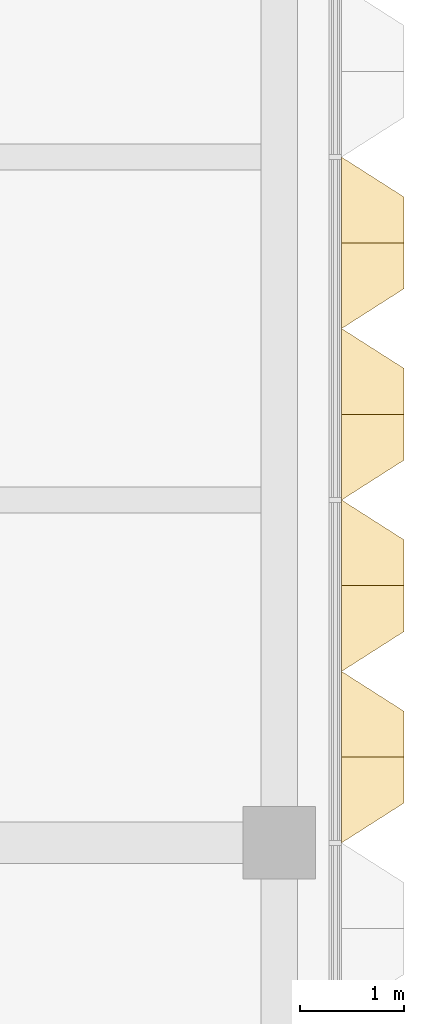
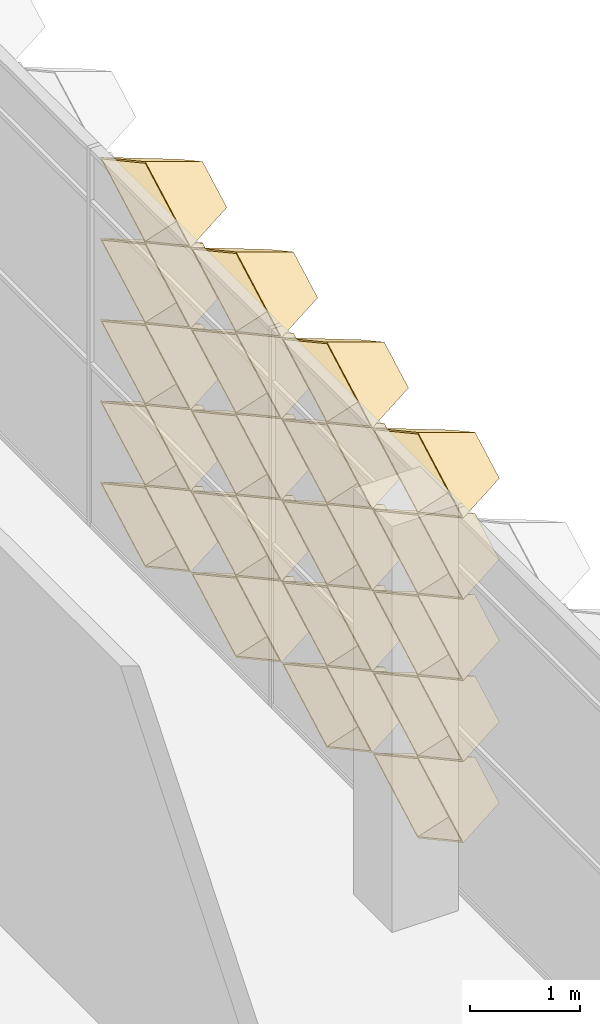
# One storey, part 18 of 28: 20 coverings.
"""IFC4 building model written with IfcOpenShell, lengths in metres."""

from ifc_helpers import new_model, entity, si_unit, direction, frame, origin, place, context, subcontext, project, spatial, material, layer, layer_set, type_object, element, save


model = new_model("IFC4")

# Units and contexts
model_context = context("Model", 3, precision=1e-05, world=origin(), true_north=direction((0.0, 1.0)))
body_context = subcontext(model_context, "Body", "Model", "MODEL_VIEW")
ifc_project = project(units=[si_unit("LENGTHUNIT", "METRE"), si_unit("AREAUNIT", "SQUARE_METRE"), si_unit("VOLUMEUNIT", "CUBIC_METRE"), si_unit("PLANEANGLEUNIT", "RADIAN"), si_unit("MASSUNIT", "GRAM", prefix="KILO")], contexts=[model_context])

# Site, building, storey
site_placement = place(None, origin())
site = spatial("IfcSite", under=ifc_project, at=site_placement, CompositionType="ELEMENT")
building_placement = place(site_placement, origin())
building = spatial("IfcBuilding", under=site, at=building_placement, Name="Lantern Court Research Institute", CompositionType="ELEMENT")
storey_placement = place(building_placement, frame((0.0, 0.0, 36.89990234375)))
storey = spatial("IfcBuildingStorey", under=building, at=storey_placement, Name="L08", CompositionType="ELEMENT", Elevation=36.89990234375)

# Coverings
ifc_material = material(Name="Anodised aluminium", Category="aluminium")
ifc_layer = layer(ifc_material, 0.01611328125)
ifc_layer_set = layer_set([ifc_layer], Name="Anodised aluminium")
covering_type = type_object("IfcCoveringType", Name="Fin cassette 1650 x 900 x 600 aluminium", PredefinedType="CLADDING", material=ifc_layer_set)
covering_1_placement = place(storey_placement, frame((79.800048828125, 0.824951171875, 0.4501953125), z_axis=(1.0, 0.0, 0.0), x_axis=(0.0, 1.0, 0.0)))
cartesian_point_1 = entity("IfcCartesianPoint", [0.824951171875, 0.0])
cartesian_point_2 = entity("IfcCartesianPoint", [0.79150390625, 0.0])
cartesian_point_3 = entity("IfcCartesianPoint", [0.44189453125, 0.0])
cartesian_point_4 = entity("IfcCartesianPoint", [0.43359375, 0.0])
element("IfcCovering", 1, at=covering_1_placement, inside=storey, type_object=covering_type, Name="Fin cassette V5E-L08 1.1", PredefinedType="CLADDING", context=body_context, shape_type="SweptSolid", body=[
    entity("IfcExtrudedAreaSolidTapered", entity("IfcArbitraryProfileDefWithVoids", "AREA", None, entity("IfcPolyline", [cartesian_point_1, entity("IfcCartesianPoint", [0.0, 0.449951171875]), entity("IfcCartesianPoint", [-0.824951171875, 0.0]), entity("IfcCartesianPoint", [0.0, -0.449951171875]), cartesian_point_1]), [entity("IfcPolyline", [cartesian_point_2, entity("IfcCartesianPoint", [0.0, 0.431884765625]), entity("IfcCartesianPoint", [-0.79150390625, 0.0]), entity("IfcCartesianPoint", [0.0, -0.431884765625]), cartesian_point_2])]), entity("IfcAxis2Placement3D", entity("IfcCartesianPoint", [0.0, 0.0, 0.0])), entity("IfcDirection", [0.0, 0.0, 1.0]), 0.60009765625, entity("IfcArbitraryProfileDefWithVoids", "AREA", None, entity("IfcPolyline", [cartesian_point_3, entity("IfcCartesianPoint", [0.0, 0.240966796875]), entity("IfcCartesianPoint", [-0.44189453125, 0.0]), entity("IfcCartesianPoint", [0.0, -0.240966796875]), cartesian_point_3]), [entity("IfcPolyline", [cartesian_point_4, entity("IfcCartesianPoint", [0.0, 0.236572265625]), entity("IfcCartesianPoint", [-0.43359375, 0.0]), entity("IfcCartesianPoint", [0.0, -0.236572265625]), cartesian_point_4])])),
])
covering_2_placement = place(storey_placement, frame((79.800048828125, 2.47509765625, 0.4501953125), z_axis=(1.0, 0.0, 0.0), x_axis=(0.0, 1.0, 0.0)))
cartesian_point_5 = entity("IfcCartesianPoint", [0.824951171875, 0.0])
cartesian_point_6 = entity("IfcCartesianPoint", [0.79150390625, 0.0])
cartesian_point_7 = entity("IfcCartesianPoint", [0.44189453125, 0.0])
cartesian_point_8 = entity("IfcCartesianPoint", [0.43359375, 0.0])
element("IfcCovering", 2, at=covering_2_placement, inside=storey, type_object=covering_type, Name="Fin cassette V5E-L08 1.2", PredefinedType="CLADDING", context=body_context, shape_type="SweptSolid", body=[
    entity("IfcExtrudedAreaSolidTapered", entity("IfcArbitraryProfileDefWithVoids", "AREA", None, entity("IfcPolyline", [cartesian_point_5, entity("IfcCartesianPoint", [0.0, 0.449951171875]), entity("IfcCartesianPoint", [-0.824951171875, 0.0]), entity("IfcCartesianPoint", [0.0, -0.449951171875]), cartesian_point_5]), [entity("IfcPolyline", [cartesian_point_6, entity("IfcCartesianPoint", [0.0, 0.431884765625]), entity("IfcCartesianPoint", [-0.79150390625, 0.0]), entity("IfcCartesianPoint", [0.0, -0.431884765625]), cartesian_point_6])]), entity("IfcAxis2Placement3D", entity("IfcCartesianPoint", [0.0, 0.0, 0.0])), entity("IfcDirection", [0.0, 0.0, 1.0]), 0.60009765625, entity("IfcArbitraryProfileDefWithVoids", "AREA", None, entity("IfcPolyline", [cartesian_point_7, entity("IfcCartesianPoint", [0.0, 0.240966796875]), entity("IfcCartesianPoint", [-0.44189453125, 0.0]), entity("IfcCartesianPoint", [0.0, -0.240966796875]), cartesian_point_7]), [entity("IfcPolyline", [cartesian_point_8, entity("IfcCartesianPoint", [0.0, 0.236572265625]), entity("IfcCartesianPoint", [-0.43359375, 0.0]), entity("IfcCartesianPoint", [0.0, -0.236572265625]), cartesian_point_8])])),
])
covering_3_placement = place(storey_placement, frame((79.800048828125, 4.125, 0.4501953125), z_axis=(1.0, 0.0, 0.0), x_axis=(0.0, 1.0, 0.0)))
cartesian_point_9 = entity("IfcCartesianPoint", [0.824951171875, 0.0])
cartesian_point_10 = entity("IfcCartesianPoint", [0.79150390625, 0.0])
cartesian_point_11 = entity("IfcCartesianPoint", [0.44189453125, 0.0])
cartesian_point_12 = entity("IfcCartesianPoint", [0.43359375, 0.0])
element("IfcCovering", 3, at=covering_3_placement, inside=storey, type_object=covering_type, Name="Fin cassette V5E-L08 1.3", PredefinedType="CLADDING", context=body_context, shape_type="SweptSolid", body=[
    entity("IfcExtrudedAreaSolidTapered", entity("IfcArbitraryProfileDefWithVoids", "AREA", None, entity("IfcPolyline", [cartesian_point_9, entity("IfcCartesianPoint", [0.0, 0.449951171875]), entity("IfcCartesianPoint", [-0.824951171875, 0.0]), entity("IfcCartesianPoint", [0.0, -0.449951171875]), cartesian_point_9]), [entity("IfcPolyline", [cartesian_point_10, entity("IfcCartesianPoint", [0.0, 0.431884765625]), entity("IfcCartesianPoint", [-0.79150390625, 0.0]), entity("IfcCartesianPoint", [0.0, -0.431884765625]), cartesian_point_10])]), entity("IfcAxis2Placement3D", entity("IfcCartesianPoint", [0.0, 0.0, 0.0])), entity("IfcDirection", [0.0, 0.0, 1.0]), 0.60009765625, entity("IfcArbitraryProfileDefWithVoids", "AREA", None, entity("IfcPolyline", [cartesian_point_11, entity("IfcCartesianPoint", [0.0, 0.240966796875]), entity("IfcCartesianPoint", [-0.44189453125, 0.0]), entity("IfcCartesianPoint", [0.0, -0.240966796875]), cartesian_point_11]), [entity("IfcPolyline", [cartesian_point_12, entity("IfcCartesianPoint", [0.0, 0.236572265625]), entity("IfcCartesianPoint", [-0.43359375, 0.0]), entity("IfcCartesianPoint", [0.0, -0.236572265625]), cartesian_point_12])])),
])
covering_4_placement = place(storey_placement, frame((79.800048828125, 5.77490234375, 0.4501953125), z_axis=(1.0, 0.0, 0.0), x_axis=(0.0, 1.0, 0.0)))
cartesian_point_13 = entity("IfcCartesianPoint", [0.824951171875, 0.0])
cartesian_point_14 = entity("IfcCartesianPoint", [0.79150390625, 0.0])
cartesian_point_15 = entity("IfcCartesianPoint", [0.44189453125, 0.0])
cartesian_point_16 = entity("IfcCartesianPoint", [0.43359375, 0.0])
element("IfcCovering", 4, at=covering_4_placement, inside=storey, type_object=covering_type, Name="Fin cassette V5E-L08 1.4", PredefinedType="CLADDING", context=body_context, shape_type="SweptSolid", body=[
    entity("IfcExtrudedAreaSolidTapered", entity("IfcArbitraryProfileDefWithVoids", "AREA", None, entity("IfcPolyline", [cartesian_point_13, entity("IfcCartesianPoint", [0.0, 0.449951171875]), entity("IfcCartesianPoint", [-0.824951171875, 0.0]), entity("IfcCartesianPoint", [0.0, -0.449951171875]), cartesian_point_13]), [entity("IfcPolyline", [cartesian_point_14, entity("IfcCartesianPoint", [0.0, 0.431884765625]), entity("IfcCartesianPoint", [-0.79150390625, 0.0]), entity("IfcCartesianPoint", [0.0, -0.431884765625]), cartesian_point_14])]), entity("IfcAxis2Placement3D", entity("IfcCartesianPoint", [0.0, 0.0, 0.0])), entity("IfcDirection", [0.0, 0.0, 1.0]), 0.60009765625, entity("IfcArbitraryProfileDefWithVoids", "AREA", None, entity("IfcPolyline", [cartesian_point_15, entity("IfcCartesianPoint", [0.0, 0.240966796875]), entity("IfcCartesianPoint", [-0.44189453125, 0.0]), entity("IfcCartesianPoint", [0.0, -0.240966796875]), cartesian_point_15]), [entity("IfcPolyline", [cartesian_point_16, entity("IfcCartesianPoint", [0.0, 0.236572265625]), entity("IfcCartesianPoint", [-0.43359375, 0.0]), entity("IfcCartesianPoint", [0.0, -0.236572265625]), cartesian_point_16])])),
])
covering_5_placement = place(storey_placement, frame((79.800048828125, 0.824951171875, 1.35009765625), z_axis=(1.0, 0.0, 0.0), x_axis=(0.0, 1.0, 0.0)))
cartesian_point_17 = entity("IfcCartesianPoint", [0.824951171875, 0.0])
cartesian_point_18 = entity("IfcCartesianPoint", [0.79150390625, 0.0])
cartesian_point_19 = entity("IfcCartesianPoint", [0.44189453125, 0.0])
cartesian_point_20 = entity("IfcCartesianPoint", [0.43359375, 0.0])
element("IfcCovering", 5, at=covering_5_placement, inside=storey, type_object=covering_type, Name="Fin cassette V5E-L08 2.1", PredefinedType="CLADDING", context=body_context, shape_type="SweptSolid", body=[
    entity("IfcExtrudedAreaSolidTapered", entity("IfcArbitraryProfileDefWithVoids", "AREA", None, entity("IfcPolyline", [cartesian_point_17, entity("IfcCartesianPoint", [0.0, 0.449951171875]), entity("IfcCartesianPoint", [-0.824951171875, 0.0]), entity("IfcCartesianPoint", [0.0, -0.449951171875]), cartesian_point_17]), [entity("IfcPolyline", [cartesian_point_18, entity("IfcCartesianPoint", [0.0, 0.431884765625]), entity("IfcCartesianPoint", [-0.79150390625, 0.0]), entity("IfcCartesianPoint", [0.0, -0.431884765625]), cartesian_point_18])]), entity("IfcAxis2Placement3D", entity("IfcCartesianPoint", [0.0, 0.0, 0.0])), entity("IfcDirection", [0.0, 0.0, 1.0]), 0.60009765625, entity("IfcArbitraryProfileDefWithVoids", "AREA", None, entity("IfcPolyline", [cartesian_point_19, entity("IfcCartesianPoint", [0.0, 0.240966796875]), entity("IfcCartesianPoint", [-0.44189453125, 0.0]), entity("IfcCartesianPoint", [0.0, -0.240966796875]), cartesian_point_19]), [entity("IfcPolyline", [cartesian_point_20, entity("IfcCartesianPoint", [0.0, 0.236572265625]), entity("IfcCartesianPoint", [-0.43359375, 0.0]), entity("IfcCartesianPoint", [0.0, -0.236572265625]), cartesian_point_20])])),
])
covering_6_placement = place(storey_placement, frame((79.800048828125, 2.47509765625, 1.35009765625), z_axis=(1.0, 0.0, 0.0), x_axis=(0.0, 1.0, 0.0)))
cartesian_point_21 = entity("IfcCartesianPoint", [0.824951171875, 0.0])
cartesian_point_22 = entity("IfcCartesianPoint", [0.79150390625, 0.0])
cartesian_point_23 = entity("IfcCartesianPoint", [0.44189453125, 0.0])
cartesian_point_24 = entity("IfcCartesianPoint", [0.43359375, 0.0])
element("IfcCovering", 6, at=covering_6_placement, inside=storey, type_object=covering_type, Name="Fin cassette V5E-L08 2.2", PredefinedType="CLADDING", context=body_context, shape_type="SweptSolid", body=[
    entity("IfcExtrudedAreaSolidTapered", entity("IfcArbitraryProfileDefWithVoids", "AREA", None, entity("IfcPolyline", [cartesian_point_21, entity("IfcCartesianPoint", [0.0, 0.449951171875]), entity("IfcCartesianPoint", [-0.824951171875, 0.0]), entity("IfcCartesianPoint", [0.0, -0.449951171875]), cartesian_point_21]), [entity("IfcPolyline", [cartesian_point_22, entity("IfcCartesianPoint", [0.0, 0.431884765625]), entity("IfcCartesianPoint", [-0.79150390625, 0.0]), entity("IfcCartesianPoint", [0.0, -0.431884765625]), cartesian_point_22])]), entity("IfcAxis2Placement3D", entity("IfcCartesianPoint", [0.0, 0.0, 0.0])), entity("IfcDirection", [0.0, 0.0, 1.0]), 0.60009765625, entity("IfcArbitraryProfileDefWithVoids", "AREA", None, entity("IfcPolyline", [cartesian_point_23, entity("IfcCartesianPoint", [0.0, 0.240966796875]), entity("IfcCartesianPoint", [-0.44189453125, 0.0]), entity("IfcCartesianPoint", [0.0, -0.240966796875]), cartesian_point_23]), [entity("IfcPolyline", [cartesian_point_24, entity("IfcCartesianPoint", [0.0, 0.236572265625]), entity("IfcCartesianPoint", [-0.43359375, 0.0]), entity("IfcCartesianPoint", [0.0, -0.236572265625]), cartesian_point_24])])),
])
covering_7_placement = place(storey_placement, frame((79.800048828125, 4.125, 1.35009765625), z_axis=(1.0, 0.0, 0.0), x_axis=(0.0, 1.0, 0.0)))
cartesian_point_25 = entity("IfcCartesianPoint", [0.824951171875, 0.0])
cartesian_point_26 = entity("IfcCartesianPoint", [0.79150390625, 0.0])
cartesian_point_27 = entity("IfcCartesianPoint", [0.44189453125, 0.0])
cartesian_point_28 = entity("IfcCartesianPoint", [0.43359375, 0.0])
element("IfcCovering", 7, at=covering_7_placement, inside=storey, type_object=covering_type, Name="Fin cassette V5E-L08 2.3", PredefinedType="CLADDING", context=body_context, shape_type="SweptSolid", body=[
    entity("IfcExtrudedAreaSolidTapered", entity("IfcArbitraryProfileDefWithVoids", "AREA", None, entity("IfcPolyline", [cartesian_point_25, entity("IfcCartesianPoint", [0.0, 0.449951171875]), entity("IfcCartesianPoint", [-0.824951171875, 0.0]), entity("IfcCartesianPoint", [0.0, -0.449951171875]), cartesian_point_25]), [entity("IfcPolyline", [cartesian_point_26, entity("IfcCartesianPoint", [0.0, 0.431884765625]), entity("IfcCartesianPoint", [-0.79150390625, 0.0]), entity("IfcCartesianPoint", [0.0, -0.431884765625]), cartesian_point_26])]), entity("IfcAxis2Placement3D", entity("IfcCartesianPoint", [0.0, 0.0, 0.0])), entity("IfcDirection", [0.0, 0.0, 1.0]), 0.60009765625, entity("IfcArbitraryProfileDefWithVoids", "AREA", None, entity("IfcPolyline", [cartesian_point_27, entity("IfcCartesianPoint", [0.0, 0.240966796875]), entity("IfcCartesianPoint", [-0.44189453125, 0.0]), entity("IfcCartesianPoint", [0.0, -0.240966796875]), cartesian_point_27]), [entity("IfcPolyline", [cartesian_point_28, entity("IfcCartesianPoint", [0.0, 0.236572265625]), entity("IfcCartesianPoint", [-0.43359375, 0.0]), entity("IfcCartesianPoint", [0.0, -0.236572265625]), cartesian_point_28])])),
])
covering_8_placement = place(storey_placement, frame((79.800048828125, 5.77490234375, 1.35009765625), z_axis=(1.0, 0.0, 0.0), x_axis=(0.0, 1.0, 0.0)))
cartesian_point_29 = entity("IfcCartesianPoint", [0.824951171875, 0.0])
cartesian_point_30 = entity("IfcCartesianPoint", [0.79150390625, 0.0])
cartesian_point_31 = entity("IfcCartesianPoint", [0.44189453125, 0.0])
cartesian_point_32 = entity("IfcCartesianPoint", [0.43359375, 0.0])
element("IfcCovering", 8, at=covering_8_placement, inside=storey, type_object=covering_type, Name="Fin cassette V5E-L08 2.4", PredefinedType="CLADDING", context=body_context, shape_type="SweptSolid", body=[
    entity("IfcExtrudedAreaSolidTapered", entity("IfcArbitraryProfileDefWithVoids", "AREA", None, entity("IfcPolyline", [cartesian_point_29, entity("IfcCartesianPoint", [0.0, 0.449951171875]), entity("IfcCartesianPoint", [-0.824951171875, 0.0]), entity("IfcCartesianPoint", [0.0, -0.449951171875]), cartesian_point_29]), [entity("IfcPolyline", [cartesian_point_30, entity("IfcCartesianPoint", [0.0, 0.431884765625]), entity("IfcCartesianPoint", [-0.79150390625, 0.0]), entity("IfcCartesianPoint", [0.0, -0.431884765625]), cartesian_point_30])]), entity("IfcAxis2Placement3D", entity("IfcCartesianPoint", [0.0, 0.0, 0.0])), entity("IfcDirection", [0.0, 0.0, 1.0]), 0.60009765625, entity("IfcArbitraryProfileDefWithVoids", "AREA", None, entity("IfcPolyline", [cartesian_point_31, entity("IfcCartesianPoint", [0.0, 0.240966796875]), entity("IfcCartesianPoint", [-0.44189453125, 0.0]), entity("IfcCartesianPoint", [0.0, -0.240966796875]), cartesian_point_31]), [entity("IfcPolyline", [cartesian_point_32, entity("IfcCartesianPoint", [0.0, 0.236572265625]), entity("IfcCartesianPoint", [-0.43359375, 0.0]), entity("IfcCartesianPoint", [0.0, -0.236572265625]), cartesian_point_32])])),
])
covering_9_placement = place(storey_placement, frame((79.800048828125, 0.824951171875, 2.25), z_axis=(1.0, 0.0, 0.0), x_axis=(0.0, 1.0, 0.0)))
cartesian_point_33 = entity("IfcCartesianPoint", [0.824951171875, 0.0])
cartesian_point_34 = entity("IfcCartesianPoint", [0.79150390625, 0.0])
cartesian_point_35 = entity("IfcCartesianPoint", [0.44189453125, 0.0])
cartesian_point_36 = entity("IfcCartesianPoint", [0.43359375, 0.0])
element("IfcCovering", 9, at=covering_9_placement, inside=storey, type_object=covering_type, Name="Fin cassette V5E-L08 3.1", PredefinedType="CLADDING", context=body_context, shape_type="SweptSolid", body=[
    entity("IfcExtrudedAreaSolidTapered", entity("IfcArbitraryProfileDefWithVoids", "AREA", None, entity("IfcPolyline", [cartesian_point_33, entity("IfcCartesianPoint", [0.0, 0.449951171875]), entity("IfcCartesianPoint", [-0.824951171875, 0.0]), entity("IfcCartesianPoint", [0.0, -0.449951171875]), cartesian_point_33]), [entity("IfcPolyline", [cartesian_point_34, entity("IfcCartesianPoint", [0.0, 0.431884765625]), entity("IfcCartesianPoint", [-0.79150390625, 0.0]), entity("IfcCartesianPoint", [0.0, -0.431884765625]), cartesian_point_34])]), entity("IfcAxis2Placement3D", entity("IfcCartesianPoint", [0.0, 0.0, 0.0])), entity("IfcDirection", [0.0, 0.0, 1.0]), 0.60009765625, entity("IfcArbitraryProfileDefWithVoids", "AREA", None, entity("IfcPolyline", [cartesian_point_35, entity("IfcCartesianPoint", [0.0, 0.240966796875]), entity("IfcCartesianPoint", [-0.44189453125, 0.0]), entity("IfcCartesianPoint", [0.0, -0.240966796875]), cartesian_point_35]), [entity("IfcPolyline", [cartesian_point_36, entity("IfcCartesianPoint", [0.0, 0.236572265625]), entity("IfcCartesianPoint", [-0.43359375, 0.0]), entity("IfcCartesianPoint", [0.0, -0.236572265625]), cartesian_point_36])])),
])
covering_10_placement = place(storey_placement, frame((79.800048828125, 2.47509765625, 2.25), z_axis=(1.0, 0.0, 0.0), x_axis=(0.0, 1.0, 0.0)))
cartesian_point_37 = entity("IfcCartesianPoint", [0.824951171875, 0.0])
cartesian_point_38 = entity("IfcCartesianPoint", [0.79150390625, 0.0])
cartesian_point_39 = entity("IfcCartesianPoint", [0.44189453125, 0.0])
cartesian_point_40 = entity("IfcCartesianPoint", [0.43359375, 0.0])
element("IfcCovering", 10, at=covering_10_placement, inside=storey, type_object=covering_type, Name="Fin cassette V5E-L08 3.2", PredefinedType="CLADDING", context=body_context, shape_type="SweptSolid", body=[
    entity("IfcExtrudedAreaSolidTapered", entity("IfcArbitraryProfileDefWithVoids", "AREA", None, entity("IfcPolyline", [cartesian_point_37, entity("IfcCartesianPoint", [0.0, 0.449951171875]), entity("IfcCartesianPoint", [-0.824951171875, 0.0]), entity("IfcCartesianPoint", [0.0, -0.449951171875]), cartesian_point_37]), [entity("IfcPolyline", [cartesian_point_38, entity("IfcCartesianPoint", [0.0, 0.431884765625]), entity("IfcCartesianPoint", [-0.79150390625, 0.0]), entity("IfcCartesianPoint", [0.0, -0.431884765625]), cartesian_point_38])]), entity("IfcAxis2Placement3D", entity("IfcCartesianPoint", [0.0, 0.0, 0.0])), entity("IfcDirection", [0.0, 0.0, 1.0]), 0.60009765625, entity("IfcArbitraryProfileDefWithVoids", "AREA", None, entity("IfcPolyline", [cartesian_point_39, entity("IfcCartesianPoint", [0.0, 0.240966796875]), entity("IfcCartesianPoint", [-0.44189453125, 0.0]), entity("IfcCartesianPoint", [0.0, -0.240966796875]), cartesian_point_39]), [entity("IfcPolyline", [cartesian_point_40, entity("IfcCartesianPoint", [0.0, 0.236572265625]), entity("IfcCartesianPoint", [-0.43359375, 0.0]), entity("IfcCartesianPoint", [0.0, -0.236572265625]), cartesian_point_40])])),
])
covering_11_placement = place(storey_placement, frame((79.800048828125, 4.125, 2.25), z_axis=(1.0, 0.0, 0.0), x_axis=(0.0, 1.0, 0.0)))
cartesian_point_41 = entity("IfcCartesianPoint", [0.824951171875, 0.0])
cartesian_point_42 = entity("IfcCartesianPoint", [0.79150390625, 0.0])
cartesian_point_43 = entity("IfcCartesianPoint", [0.44189453125, 0.0])
cartesian_point_44 = entity("IfcCartesianPoint", [0.43359375, 0.0])
element("IfcCovering", 11, at=covering_11_placement, inside=storey, type_object=covering_type, Name="Fin cassette V5E-L08 3.3", PredefinedType="CLADDING", context=body_context, shape_type="SweptSolid", body=[
    entity("IfcExtrudedAreaSolidTapered", entity("IfcArbitraryProfileDefWithVoids", "AREA", None, entity("IfcPolyline", [cartesian_point_41, entity("IfcCartesianPoint", [0.0, 0.449951171875]), entity("IfcCartesianPoint", [-0.824951171875, 0.0]), entity("IfcCartesianPoint", [0.0, -0.449951171875]), cartesian_point_41]), [entity("IfcPolyline", [cartesian_point_42, entity("IfcCartesianPoint", [0.0, 0.431884765625]), entity("IfcCartesianPoint", [-0.79150390625, 0.0]), entity("IfcCartesianPoint", [0.0, -0.431884765625]), cartesian_point_42])]), entity("IfcAxis2Placement3D", entity("IfcCartesianPoint", [0.0, 0.0, 0.0])), entity("IfcDirection", [0.0, 0.0, 1.0]), 0.60009765625, entity("IfcArbitraryProfileDefWithVoids", "AREA", None, entity("IfcPolyline", [cartesian_point_43, entity("IfcCartesianPoint", [0.0, 0.240966796875]), entity("IfcCartesianPoint", [-0.44189453125, 0.0]), entity("IfcCartesianPoint", [0.0, -0.240966796875]), cartesian_point_43]), [entity("IfcPolyline", [cartesian_point_44, entity("IfcCartesianPoint", [0.0, 0.236572265625]), entity("IfcCartesianPoint", [-0.43359375, 0.0]), entity("IfcCartesianPoint", [0.0, -0.236572265625]), cartesian_point_44])])),
])
covering_12_placement = place(storey_placement, frame((79.800048828125, 5.77490234375, 2.25), z_axis=(1.0, 0.0, 0.0), x_axis=(0.0, 1.0, 0.0)))
cartesian_point_45 = entity("IfcCartesianPoint", [0.824951171875, 0.0])
cartesian_point_46 = entity("IfcCartesianPoint", [0.79150390625, 0.0])
cartesian_point_47 = entity("IfcCartesianPoint", [0.44189453125, 0.0])
cartesian_point_48 = entity("IfcCartesianPoint", [0.43359375, 0.0])
element("IfcCovering", 12, at=covering_12_placement, inside=storey, type_object=covering_type, Name="Fin cassette V5E-L08 3.4", PredefinedType="CLADDING", context=body_context, shape_type="SweptSolid", body=[
    entity("IfcExtrudedAreaSolidTapered", entity("IfcArbitraryProfileDefWithVoids", "AREA", None, entity("IfcPolyline", [cartesian_point_45, entity("IfcCartesianPoint", [0.0, 0.449951171875]), entity("IfcCartesianPoint", [-0.824951171875, 0.0]), entity("IfcCartesianPoint", [0.0, -0.449951171875]), cartesian_point_45]), [entity("IfcPolyline", [cartesian_point_46, entity("IfcCartesianPoint", [0.0, 0.431884765625]), entity("IfcCartesianPoint", [-0.79150390625, 0.0]), entity("IfcCartesianPoint", [0.0, -0.431884765625]), cartesian_point_46])]), entity("IfcAxis2Placement3D", entity("IfcCartesianPoint", [0.0, 0.0, 0.0])), entity("IfcDirection", [0.0, 0.0, 1.0]), 0.60009765625, entity("IfcArbitraryProfileDefWithVoids", "AREA", None, entity("IfcPolyline", [cartesian_point_47, entity("IfcCartesianPoint", [0.0, 0.240966796875]), entity("IfcCartesianPoint", [-0.44189453125, 0.0]), entity("IfcCartesianPoint", [0.0, -0.240966796875]), cartesian_point_47]), [entity("IfcPolyline", [cartesian_point_48, entity("IfcCartesianPoint", [0.0, 0.236572265625]), entity("IfcCartesianPoint", [-0.43359375, 0.0]), entity("IfcCartesianPoint", [0.0, -0.236572265625]), cartesian_point_48])])),
])
covering_13_placement = place(storey_placement, frame((79.800048828125, 0.824951171875, 3.150146484375), z_axis=(1.0, 0.0, 0.0), x_axis=(0.0, 1.0, 0.0)))
cartesian_point_49 = entity("IfcCartesianPoint", [0.824951171875, 0.0])
cartesian_point_50 = entity("IfcCartesianPoint", [0.79150390625, 0.0])
cartesian_point_51 = entity("IfcCartesianPoint", [0.44189453125, 0.0])
cartesian_point_52 = entity("IfcCartesianPoint", [0.43359375, 0.0])
element("IfcCovering", 13, at=covering_13_placement, inside=storey, type_object=covering_type, Name="Fin cassette V5E-L08 4.1", PredefinedType="CLADDING", context=body_context, shape_type="SweptSolid", body=[
    entity("IfcExtrudedAreaSolidTapered", entity("IfcArbitraryProfileDefWithVoids", "AREA", None, entity("IfcPolyline", [cartesian_point_49, entity("IfcCartesianPoint", [0.0, 0.449951171875]), entity("IfcCartesianPoint", [-0.824951171875, 0.0]), entity("IfcCartesianPoint", [0.0, -0.449951171875]), cartesian_point_49]), [entity("IfcPolyline", [cartesian_point_50, entity("IfcCartesianPoint", [0.0, 0.431884765625]), entity("IfcCartesianPoint", [-0.79150390625, 0.0]), entity("IfcCartesianPoint", [0.0, -0.431884765625]), cartesian_point_50])]), entity("IfcAxis2Placement3D", entity("IfcCartesianPoint", [0.0, 0.0, 0.0])), entity("IfcDirection", [0.0, 0.0, 1.0]), 0.60009765625, entity("IfcArbitraryProfileDefWithVoids", "AREA", None, entity("IfcPolyline", [cartesian_point_51, entity("IfcCartesianPoint", [0.0, 0.240966796875]), entity("IfcCartesianPoint", [-0.44189453125, 0.0]), entity("IfcCartesianPoint", [0.0, -0.240966796875]), cartesian_point_51]), [entity("IfcPolyline", [cartesian_point_52, entity("IfcCartesianPoint", [0.0, 0.236572265625]), entity("IfcCartesianPoint", [-0.43359375, 0.0]), entity("IfcCartesianPoint", [0.0, -0.236572265625]), cartesian_point_52])])),
])
covering_14_placement = place(storey_placement, frame((79.800048828125, 2.47509765625, 3.150146484375), z_axis=(1.0, 0.0, 0.0), x_axis=(0.0, 1.0, 0.0)))
cartesian_point_53 = entity("IfcCartesianPoint", [0.824951171875, 0.0])
cartesian_point_54 = entity("IfcCartesianPoint", [0.79150390625, 0.0])
cartesian_point_55 = entity("IfcCartesianPoint", [0.44189453125, 0.0])
cartesian_point_56 = entity("IfcCartesianPoint", [0.43359375, 0.0])
element("IfcCovering", 14, at=covering_14_placement, inside=storey, type_object=covering_type, Name="Fin cassette V5E-L08 4.2", PredefinedType="CLADDING", context=body_context, shape_type="SweptSolid", body=[
    entity("IfcExtrudedAreaSolidTapered", entity("IfcArbitraryProfileDefWithVoids", "AREA", None, entity("IfcPolyline", [cartesian_point_53, entity("IfcCartesianPoint", [0.0, 0.449951171875]), entity("IfcCartesianPoint", [-0.824951171875, 0.0]), entity("IfcCartesianPoint", [0.0, -0.449951171875]), cartesian_point_53]), [entity("IfcPolyline", [cartesian_point_54, entity("IfcCartesianPoint", [0.0, 0.431884765625]), entity("IfcCartesianPoint", [-0.79150390625, 0.0]), entity("IfcCartesianPoint", [0.0, -0.431884765625]), cartesian_point_54])]), entity("IfcAxis2Placement3D", entity("IfcCartesianPoint", [0.0, 0.0, 0.0])), entity("IfcDirection", [0.0, 0.0, 1.0]), 0.60009765625, entity("IfcArbitraryProfileDefWithVoids", "AREA", None, entity("IfcPolyline", [cartesian_point_55, entity("IfcCartesianPoint", [0.0, 0.240966796875]), entity("IfcCartesianPoint", [-0.44189453125, 0.0]), entity("IfcCartesianPoint", [0.0, -0.240966796875]), cartesian_point_55]), [entity("IfcPolyline", [cartesian_point_56, entity("IfcCartesianPoint", [0.0, 0.236572265625]), entity("IfcCartesianPoint", [-0.43359375, 0.0]), entity("IfcCartesianPoint", [0.0, -0.236572265625]), cartesian_point_56])])),
])
covering_15_placement = place(storey_placement, frame((79.800048828125, 4.125, 3.150146484375), z_axis=(1.0, 0.0, 0.0), x_axis=(0.0, 1.0, 0.0)))
cartesian_point_57 = entity("IfcCartesianPoint", [0.824951171875, 0.0])
cartesian_point_58 = entity("IfcCartesianPoint", [0.79150390625, 0.0])
cartesian_point_59 = entity("IfcCartesianPoint", [0.44189453125, 0.0])
cartesian_point_60 = entity("IfcCartesianPoint", [0.43359375, 0.0])
element("IfcCovering", 15, at=covering_15_placement, inside=storey, type_object=covering_type, Name="Fin cassette V5E-L08 4.3", PredefinedType="CLADDING", context=body_context, shape_type="SweptSolid", body=[
    entity("IfcExtrudedAreaSolidTapered", entity("IfcArbitraryProfileDefWithVoids", "AREA", None, entity("IfcPolyline", [cartesian_point_57, entity("IfcCartesianPoint", [0.0, 0.449951171875]), entity("IfcCartesianPoint", [-0.824951171875, 0.0]), entity("IfcCartesianPoint", [0.0, -0.449951171875]), cartesian_point_57]), [entity("IfcPolyline", [cartesian_point_58, entity("IfcCartesianPoint", [0.0, 0.431884765625]), entity("IfcCartesianPoint", [-0.79150390625, 0.0]), entity("IfcCartesianPoint", [0.0, -0.431884765625]), cartesian_point_58])]), entity("IfcAxis2Placement3D", entity("IfcCartesianPoint", [0.0, 0.0, 0.0])), entity("IfcDirection", [0.0, 0.0, 1.0]), 0.60009765625, entity("IfcArbitraryProfileDefWithVoids", "AREA", None, entity("IfcPolyline", [cartesian_point_59, entity("IfcCartesianPoint", [0.0, 0.240966796875]), entity("IfcCartesianPoint", [-0.44189453125, 0.0]), entity("IfcCartesianPoint", [0.0, -0.240966796875]), cartesian_point_59]), [entity("IfcPolyline", [cartesian_point_60, entity("IfcCartesianPoint", [0.0, 0.236572265625]), entity("IfcCartesianPoint", [-0.43359375, 0.0]), entity("IfcCartesianPoint", [0.0, -0.236572265625]), cartesian_point_60])])),
])
covering_16_placement = place(storey_placement, frame((79.800048828125, 5.77490234375, 3.150146484375), z_axis=(1.0, 0.0, 0.0), x_axis=(0.0, 1.0, 0.0)))
cartesian_point_61 = entity("IfcCartesianPoint", [0.824951171875, 0.0])
cartesian_point_62 = entity("IfcCartesianPoint", [0.79150390625, 0.0])
cartesian_point_63 = entity("IfcCartesianPoint", [0.44189453125, 0.0])
cartesian_point_64 = entity("IfcCartesianPoint", [0.43359375, 0.0])
element("IfcCovering", 16, at=covering_16_placement, inside=storey, type_object=covering_type, Name="Fin cassette V5E-L08 4.4", PredefinedType="CLADDING", context=body_context, shape_type="SweptSolid", body=[
    entity("IfcExtrudedAreaSolidTapered", entity("IfcArbitraryProfileDefWithVoids", "AREA", None, entity("IfcPolyline", [cartesian_point_61, entity("IfcCartesianPoint", [0.0, 0.449951171875]), entity("IfcCartesianPoint", [-0.824951171875, 0.0]), entity("IfcCartesianPoint", [0.0, -0.449951171875]), cartesian_point_61]), [entity("IfcPolyline", [cartesian_point_62, entity("IfcCartesianPoint", [0.0, 0.431884765625]), entity("IfcCartesianPoint", [-0.79150390625, 0.0]), entity("IfcCartesianPoint", [0.0, -0.431884765625]), cartesian_point_62])]), entity("IfcAxis2Placement3D", entity("IfcCartesianPoint", [0.0, 0.0, 0.0])), entity("IfcDirection", [0.0, 0.0, 1.0]), 0.60009765625, entity("IfcArbitraryProfileDefWithVoids", "AREA", None, entity("IfcPolyline", [cartesian_point_63, entity("IfcCartesianPoint", [0.0, 0.240966796875]), entity("IfcCartesianPoint", [-0.44189453125, 0.0]), entity("IfcCartesianPoint", [0.0, -0.240966796875]), cartesian_point_63]), [entity("IfcPolyline", [cartesian_point_64, entity("IfcCartesianPoint", [0.0, 0.236572265625]), entity("IfcCartesianPoint", [-0.43359375, 0.0]), entity("IfcCartesianPoint", [0.0, -0.236572265625]), cartesian_point_64])])),
])
covering_17_placement = place(storey_placement, frame((79.800048828125, 0.824951171875, 4.050048828125), z_axis=(1.0, 0.0, 0.0), x_axis=(0.0, 1.0, 0.0)))
cartesian_point_65 = entity("IfcCartesianPoint", [0.824951171875, 0.0])
cartesian_point_66 = entity("IfcCartesianPoint", [0.79150390625, 0.0])
cartesian_point_67 = entity("IfcCartesianPoint", [0.44189453125, 0.0])
cartesian_point_68 = entity("IfcCartesianPoint", [0.43359375, 0.0])
element("IfcCovering", 17, at=covering_17_placement, inside=storey, type_object=covering_type, Name="Fin cassette V5E-L08 5.1", PredefinedType="CLADDING", context=body_context, shape_type="SweptSolid", body=[
    entity("IfcExtrudedAreaSolidTapered", entity("IfcArbitraryProfileDefWithVoids", "AREA", None, entity("IfcPolyline", [cartesian_point_65, entity("IfcCartesianPoint", [0.0, 0.449951171875]), entity("IfcCartesianPoint", [-0.824951171875, 0.0]), entity("IfcCartesianPoint", [0.0, -0.449951171875]), cartesian_point_65]), [entity("IfcPolyline", [cartesian_point_66, entity("IfcCartesianPoint", [0.0, 0.431884765625]), entity("IfcCartesianPoint", [-0.79150390625, 0.0]), entity("IfcCartesianPoint", [0.0, -0.431884765625]), cartesian_point_66])]), entity("IfcAxis2Placement3D", entity("IfcCartesianPoint", [0.0, 0.0, 0.0])), entity("IfcDirection", [0.0, 0.0, 1.0]), 0.60009765625, entity("IfcArbitraryProfileDefWithVoids", "AREA", None, entity("IfcPolyline", [cartesian_point_67, entity("IfcCartesianPoint", [0.0, 0.240966796875]), entity("IfcCartesianPoint", [-0.44189453125, 0.0]), entity("IfcCartesianPoint", [0.0, -0.240966796875]), cartesian_point_67]), [entity("IfcPolyline", [cartesian_point_68, entity("IfcCartesianPoint", [0.0, 0.236572265625]), entity("IfcCartesianPoint", [-0.43359375, 0.0]), entity("IfcCartesianPoint", [0.0, -0.236572265625]), cartesian_point_68])])),
])
covering_18_placement = place(storey_placement, frame((79.800048828125, 2.47509765625, 4.050048828125), z_axis=(1.0, 0.0, 0.0), x_axis=(0.0, 1.0, 0.0)))
cartesian_point_69 = entity("IfcCartesianPoint", [0.824951171875, 0.0])
cartesian_point_70 = entity("IfcCartesianPoint", [0.79150390625, 0.0])
cartesian_point_71 = entity("IfcCartesianPoint", [0.44189453125, 0.0])
cartesian_point_72 = entity("IfcCartesianPoint", [0.43359375, 0.0])
element("IfcCovering", 18, at=covering_18_placement, inside=storey, type_object=covering_type, Name="Fin cassette V5E-L08 5.2", PredefinedType="CLADDING", context=body_context, shape_type="SweptSolid", body=[
    entity("IfcExtrudedAreaSolidTapered", entity("IfcArbitraryProfileDefWithVoids", "AREA", None, entity("IfcPolyline", [cartesian_point_69, entity("IfcCartesianPoint", [0.0, 0.449951171875]), entity("IfcCartesianPoint", [-0.824951171875, 0.0]), entity("IfcCartesianPoint", [0.0, -0.449951171875]), cartesian_point_69]), [entity("IfcPolyline", [cartesian_point_70, entity("IfcCartesianPoint", [0.0, 0.431884765625]), entity("IfcCartesianPoint", [-0.79150390625, 0.0]), entity("IfcCartesianPoint", [0.0, -0.431884765625]), cartesian_point_70])]), entity("IfcAxis2Placement3D", entity("IfcCartesianPoint", [0.0, 0.0, 0.0])), entity("IfcDirection", [0.0, 0.0, 1.0]), 0.60009765625, entity("IfcArbitraryProfileDefWithVoids", "AREA", None, entity("IfcPolyline", [cartesian_point_71, entity("IfcCartesianPoint", [0.0, 0.240966796875]), entity("IfcCartesianPoint", [-0.44189453125, 0.0]), entity("IfcCartesianPoint", [0.0, -0.240966796875]), cartesian_point_71]), [entity("IfcPolyline", [cartesian_point_72, entity("IfcCartesianPoint", [0.0, 0.236572265625]), entity("IfcCartesianPoint", [-0.43359375, 0.0]), entity("IfcCartesianPoint", [0.0, -0.236572265625]), cartesian_point_72])])),
])
covering_19_placement = place(storey_placement, frame((79.800048828125, 4.125, 4.050048828125), z_axis=(1.0, 0.0, 0.0), x_axis=(0.0, 1.0, 0.0)))
cartesian_point_73 = entity("IfcCartesianPoint", [0.824951171875, 0.0])
cartesian_point_74 = entity("IfcCartesianPoint", [0.79150390625, 0.0])
cartesian_point_75 = entity("IfcCartesianPoint", [0.44189453125, 0.0])
cartesian_point_76 = entity("IfcCartesianPoint", [0.43359375, 0.0])
element("IfcCovering", 19, at=covering_19_placement, inside=storey, type_object=covering_type, Name="Fin cassette V5E-L08 5.3", PredefinedType="CLADDING", context=body_context, shape_type="SweptSolid", body=[
    entity("IfcExtrudedAreaSolidTapered", entity("IfcArbitraryProfileDefWithVoids", "AREA", None, entity("IfcPolyline", [cartesian_point_73, entity("IfcCartesianPoint", [0.0, 0.449951171875]), entity("IfcCartesianPoint", [-0.824951171875, 0.0]), entity("IfcCartesianPoint", [0.0, -0.449951171875]), cartesian_point_73]), [entity("IfcPolyline", [cartesian_point_74, entity("IfcCartesianPoint", [0.0, 0.431884765625]), entity("IfcCartesianPoint", [-0.79150390625, 0.0]), entity("IfcCartesianPoint", [0.0, -0.431884765625]), cartesian_point_74])]), entity("IfcAxis2Placement3D", entity("IfcCartesianPoint", [0.0, 0.0, 0.0])), entity("IfcDirection", [0.0, 0.0, 1.0]), 0.60009765625, entity("IfcArbitraryProfileDefWithVoids", "AREA", None, entity("IfcPolyline", [cartesian_point_75, entity("IfcCartesianPoint", [0.0, 0.240966796875]), entity("IfcCartesianPoint", [-0.44189453125, 0.0]), entity("IfcCartesianPoint", [0.0, -0.240966796875]), cartesian_point_75]), [entity("IfcPolyline", [cartesian_point_76, entity("IfcCartesianPoint", [0.0, 0.236572265625]), entity("IfcCartesianPoint", [-0.43359375, 0.0]), entity("IfcCartesianPoint", [0.0, -0.236572265625]), cartesian_point_76])])),
])
covering_20_placement = place(storey_placement, frame((79.800048828125, 5.77490234375, 4.050048828125), z_axis=(1.0, 0.0, 0.0), x_axis=(0.0, 1.0, 0.0)))
cartesian_point_77 = entity("IfcCartesianPoint", [0.824951171875, 0.0])
cartesian_point_78 = entity("IfcCartesianPoint", [0.79150390625, 0.0])
cartesian_point_79 = entity("IfcCartesianPoint", [0.44189453125, 0.0])
cartesian_point_80 = entity("IfcCartesianPoint", [0.43359375, 0.0])
element("IfcCovering", 20, at=covering_20_placement, inside=storey, type_object=covering_type, Name="Fin cassette V5E-L08 5.4", PredefinedType="CLADDING", context=body_context, shape_type="SweptSolid", body=[
    entity("IfcExtrudedAreaSolidTapered", entity("IfcArbitraryProfileDefWithVoids", "AREA", None, entity("IfcPolyline", [cartesian_point_77, entity("IfcCartesianPoint", [0.0, 0.449951171875]), entity("IfcCartesianPoint", [-0.824951171875, 0.0]), entity("IfcCartesianPoint", [0.0, -0.449951171875]), cartesian_point_77]), [entity("IfcPolyline", [cartesian_point_78, entity("IfcCartesianPoint", [0.0, 0.431884765625]), entity("IfcCartesianPoint", [-0.79150390625, 0.0]), entity("IfcCartesianPoint", [0.0, -0.431884765625]), cartesian_point_78])]), entity("IfcAxis2Placement3D", entity("IfcCartesianPoint", [0.0, 0.0, 0.0])), entity("IfcDirection", [0.0, 0.0, 1.0]), 0.60009765625, entity("IfcArbitraryProfileDefWithVoids", "AREA", None, entity("IfcPolyline", [cartesian_point_79, entity("IfcCartesianPoint", [0.0, 0.240966796875]), entity("IfcCartesianPoint", [-0.44189453125, 0.0]), entity("IfcCartesianPoint", [0.0, -0.240966796875]), cartesian_point_79]), [entity("IfcPolyline", [cartesian_point_80, entity("IfcCartesianPoint", [0.0, 0.236572265625]), entity("IfcCartesianPoint", [-0.43359375, 0.0]), entity("IfcCartesianPoint", [0.0, -0.236572265625]), cartesian_point_80])])),
])

save(model, "model.ifc")
